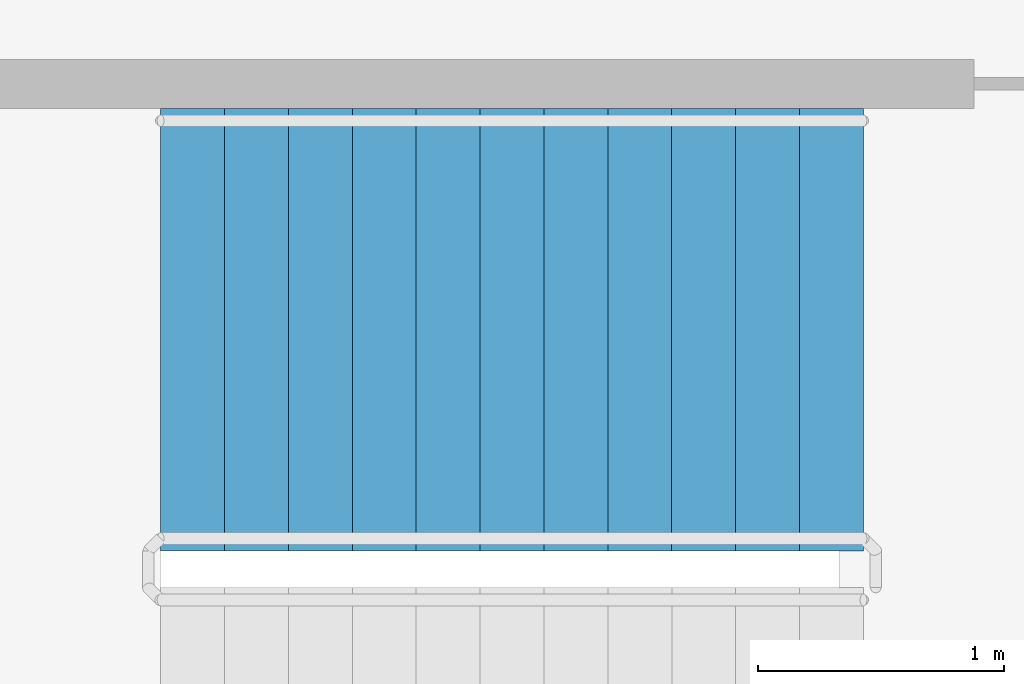
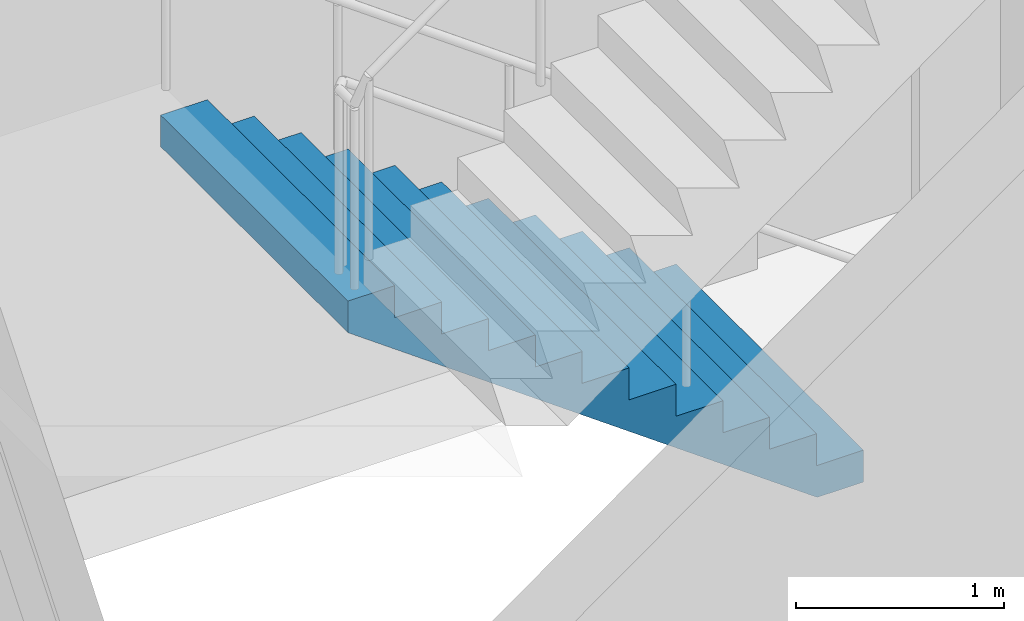
# One storey, part 41 of 49: 1 stair flight, 1 element without a shape of its own.
"""IFC4 building model written with IfcOpenShell, lengths in metres."""

from ifc_helpers import new_model, si_unit, direction, frame, origin, place, context, subcontext, project, spatial, faceted_brep, material, type_object, element, aggregate, save


model = new_model("IFC4")

# Units and contexts
model_context = context("Model", 3, precision=1e-05, world=origin(), true_north=direction((0.0, 1.0)))
body_context = subcontext(model_context, "Body", "Model", "MODEL_VIEW")
ifc_project = project(units=[si_unit("LENGTHUNIT", "METRE"), si_unit("AREAUNIT", "SQUARE_METRE"), si_unit("VOLUMEUNIT", "CUBIC_METRE"), si_unit("PLANEANGLEUNIT", "RADIAN"), si_unit("MASSUNIT", "GRAM", prefix="KILO")], contexts=[model_context])

# Site, building, storey
site_placement = place(None, origin())
site = spatial("IfcSite", under=ifc_project, at=site_placement, CompositionType="ELEMENT")
building_placement = place(site_placement, origin())
building = spatial("IfcBuilding", under=site, at=building_placement, Name="Ipe Terrace Towers", CompositionType="ELEMENT")
storey_placement = place(building_placement, frame((0.0, 0.0, 11.0)))
storey = spatial("IfcBuildingStorey", under=building, at=storey_placement, Name="L02", CompositionType="ELEMENT", Elevation=11.0)

# Stair, stair flight
ifc_material_1 = material(Name="Concrete C30/37", Category="concrete")
stair_type = type_object("IfcStairType", Name="Protected exit stair", PredefinedType="HALF_TURN_STAIR", material=ifc_material_1)
stair_placement = place(storey_placement, origin())
stair = element("IfcStair", 1, at=stair_placement, inside=storey, type_object=stair_type, Name="L02 Podium exit stair PS1", PredefinedType="HALF_TURN_STAIR")
ifc_material_2 = material(Name="Concrete C30/37", Category="concrete")
stair_flight_type = type_object("IfcStairFlightType", Name="Exit stair flight 1800", PredefinedType="STRAIGHT", material=ifc_material_2)
stair_flight_placement = place(storey_placement, frame((-54.27001953125, 25.5, 0.0), z_axis=(0.0, 0.0, 1.0), x_axis=(-1.0, 0.0, 0.0)))
stair_flight = element("IfcStairFlight", 2, at=stair_flight_placement, type_object=stair_flight_type, Name="PS1 flight 1", NumberOfRisers=12, NumberOfTreads=11, PredefinedType="STRAIGHT", RiserHeight=0.1875, TreadLength=0.26, context=body_context, shape_type="Brep", body=[
    faceted_brep([(0.25634765625, -0.89990234375, 0.0), (2.860107421875, -0.89990234375, 1.877685546875), (2.860107421875, -0.89990234375, 2.0625), (2.60009765625, -0.89990234375, 2.0625), (2.60009765625, -0.89990234375, 1.875), (2.340087890625, -0.89990234375, 1.875), (2.340087890625, -0.89990234375, 1.6875), (2.080078125, -0.89990234375, 1.6875), (2.080078125, -0.89990234375, 1.5), (1.820068359375, -0.89990234375, 1.5), (1.820068359375, -0.89990234375, 1.3125), (1.56005859375, -0.89990234375, 1.3125), (1.56005859375, -0.89990234375, 1.125), (1.300048828125, -0.89990234375, 1.125), (1.300048828125, -0.89990234375, 0.9375), (1.0400390625, -0.89990234375, 0.9375), (1.0400390625, -0.89990234375, 0.75), (0.780029296875, -0.89990234375, 0.75), (0.780029296875, -0.89990234375, 0.5625), (0.52001953125, -0.89990234375, 0.5625), (0.52001953125, -0.89990234375, 0.375), (0.260009765625, -0.89990234375, 0.375), (0.260009765625, -0.89990234375, 0.1875), (0.0, -0.89990234375, 0.1875), (0.0, -0.89990234375, 0.0), (0.0, 0.89990234375, 0.0), (0.0, 0.89990234375, 0.1875), (0.260009765625, 0.89990234375, 0.1875), (0.260009765625, 0.89990234375, 0.375), (0.52001953125, 0.89990234375, 0.375), (0.52001953125, 0.89990234375, 0.5625), (0.780029296875, 0.89990234375, 0.5625), (0.780029296875, 0.89990234375, 0.75), (1.0400390625, 0.89990234375, 0.75), (1.0400390625, 0.89990234375, 0.9375), (1.300048828125, 0.89990234375, 0.9375), (1.300048828125, 0.89990234375, 1.125), (1.56005859375, 0.89990234375, 1.125), (1.56005859375, 0.89990234375, 1.3125), (1.820068359375, 0.89990234375, 1.3125), (1.820068359375, 0.89990234375, 1.5), (2.080078125, 0.89990234375, 1.5), (2.080078125, 0.89990234375, 1.6875), (2.340087890625, 0.89990234375, 1.6875), (2.340087890625, 0.89990234375, 1.875), (2.60009765625, 0.89990234375, 1.875), (2.60009765625, 0.89990234375, 2.0625), (2.860107421875, 0.89990234375, 2.0625), (2.860107421875, 0.89990234375, 1.877685546875), (0.25634765625, 0.89990234375, 0.0), (0.0, -0.300048828125, 0.1875), (0.0, -0.1201171875, 0.1875), (0.0, -0.06005859375, 0.1875), (0.0, -0.030029296875, 0.1875), (0.0, -0.010009765625, 0.1875), (0.0, 0.0, 0.1875), (0.0, 0.010009765625, 0.1875), (0.0, 0.030029296875, 0.1875), (0.0, 0.06005859375, 0.1875), (0.0, 0.1201171875, 0.1875), (0.0, 0.300048828125, 0.1875), (0.0, 0.300048828125, 0.0), (0.0, 0.1201171875, 0.0), (0.0, 0.06005859375, 0.0), (0.0, 0.030029296875, 0.0), (0.0, 0.010009765625, 0.0), (0.0, 0.0, 0.0), (0.0, -0.010009765625, 0.0), (0.0, -0.030029296875, 0.0), (0.0, -0.06005859375, 0.0), (0.0, -0.1201171875, 0.0), (0.0, -0.300048828125, 0.0), (0.260009765625, -0.300048828125, 0.1875), (0.260009765625, -0.1201171875, 0.1875), (0.260009765625, -0.06005859375, 0.1875), (0.260009765625, -0.030029296875, 0.1875), (0.260009765625, -0.010009765625, 0.1875), (0.260009765625, 0.0, 0.1875), (0.260009765625, 0.010009765625, 0.1875), (0.260009765625, 0.030029296875, 0.1875), (0.260009765625, 0.06005859375, 0.1875), (0.260009765625, 0.1201171875, 0.1875), (0.260009765625, 0.300048828125, 0.1875), (0.260009765625, -0.300048828125, 0.375), (0.260009765625, -0.1201171875, 0.375), (0.260009765625, -0.06005859375, 0.375), (0.260009765625, -0.030029296875, 0.375), (0.260009765625, -0.010009765625, 0.375), (0.260009765625, 0.0, 0.375), (0.260009765625, 0.010009765625, 0.375), (0.260009765625, 0.030029296875, 0.375), (0.260009765625, 0.06005859375, 0.375), (0.260009765625, 0.1201171875, 0.375), (0.260009765625, 0.300048828125, 0.375), (0.52001953125, -0.300048828125, 0.375), (0.52001953125, -0.1201171875, 0.375), (0.52001953125, -0.06005859375, 0.375), (0.52001953125, -0.030029296875, 0.375), (0.52001953125, -0.010009765625, 0.375), (0.52001953125, 0.0, 0.375), (0.52001953125, 0.010009765625, 0.375), (0.52001953125, 0.030029296875, 0.375), (0.52001953125, 0.06005859375, 0.375), (0.52001953125, 0.1201171875, 0.375), (0.52001953125, 0.300048828125, 0.375), (0.52001953125, -0.300048828125, 0.5625), (0.52001953125, -0.1201171875, 0.5625), (0.52001953125, -0.06005859375, 0.5625), (0.52001953125, -0.030029296875, 0.5625), (0.52001953125, -0.010009765625, 0.5625), (0.52001953125, 0.0, 0.5625), (0.52001953125, 0.010009765625, 0.5625), (0.52001953125, 0.030029296875, 0.5625), (0.52001953125, 0.06005859375, 0.5625), (0.52001953125, 0.1201171875, 0.5625), (0.52001953125, 0.300048828125, 0.5625), (0.780029296875, -0.300048828125, 0.5625), (0.780029296875, -0.1201171875, 0.5625), (0.780029296875, -0.06005859375, 0.5625), (0.780029296875, -0.030029296875, 0.5625), (0.780029296875, -0.010009765625, 0.5625), (0.780029296875, 0.0, 0.5625), (0.780029296875, 0.010009765625, 0.5625), (0.780029296875, 0.030029296875, 0.5625), (0.780029296875, 0.06005859375, 0.5625), (0.780029296875, 0.1201171875, 0.5625), (0.780029296875, 0.300048828125, 0.5625), (0.780029296875, -0.300048828125, 0.75), (0.780029296875, -0.1201171875, 0.75), (0.780029296875, -0.06005859375, 0.75), (0.780029296875, -0.030029296875, 0.75), (0.780029296875, -0.010009765625, 0.75), (0.780029296875, 0.0, 0.75), (0.780029296875, 0.010009765625, 0.75), (0.780029296875, 0.030029296875, 0.75), (0.780029296875, 0.06005859375, 0.75), (0.780029296875, 0.1201171875, 0.75), (0.780029296875, 0.300048828125, 0.75), (1.0400390625, -0.300048828125, 0.75), (1.0400390625, -0.1201171875, 0.75), (1.0400390625, -0.06005859375, 0.75), (1.0400390625, -0.030029296875, 0.75), (1.0400390625, -0.010009765625, 0.75), (1.0400390625, 0.0, 0.75), (1.0400390625, 0.010009765625, 0.75), (1.0400390625, 0.030029296875, 0.75), (1.0400390625, 0.06005859375, 0.75), (1.0400390625, 0.1201171875, 0.75), (1.0400390625, 0.300048828125, 0.75), (1.0400390625, -0.300048828125, 0.9375), (1.0400390625, -0.1201171875, 0.9375), (1.0400390625, -0.06005859375, 0.9375), (1.0400390625, -0.030029296875, 0.9375), (1.0400390625, -0.010009765625, 0.9375), (1.0400390625, 0.0, 0.9375), (1.0400390625, 0.010009765625, 0.9375), (1.0400390625, 0.030029296875, 0.9375), (1.0400390625, 0.06005859375, 0.9375), (1.0400390625, 0.1201171875, 0.9375), (1.0400390625, 0.300048828125, 0.9375), (1.300048828125, -0.300048828125, 0.9375), (1.300048828125, -0.1201171875, 0.9375), (1.300048828125, -0.06005859375, 0.9375), (1.300048828125, -0.030029296875, 0.9375), (1.300048828125, -0.010009765625, 0.9375), (1.300048828125, 0.0, 0.9375), (1.300048828125, 0.010009765625, 0.9375), (1.300048828125, 0.030029296875, 0.9375), (1.300048828125, 0.06005859375, 0.9375), (1.300048828125, 0.1201171875, 0.9375), (1.300048828125, 0.300048828125, 0.9375), (1.300048828125, -0.300048828125, 1.125), (1.300048828125, -0.1201171875, 1.125), (1.300048828125, -0.06005859375, 1.125), (1.300048828125, -0.030029296875, 1.125), (1.300048828125, -0.010009765625, 1.125), (1.300048828125, 0.0, 1.125), (1.300048828125, 0.010009765625, 1.125), (1.300048828125, 0.030029296875, 1.125), (1.300048828125, 0.06005859375, 1.125), (1.300048828125, 0.1201171875, 1.125), (1.300048828125, 0.300048828125, 1.125), (1.56005859375, -0.300048828125, 1.125), (1.56005859375, -0.1201171875, 1.125), (1.56005859375, -0.06005859375, 1.125), (1.56005859375, -0.030029296875, 1.125), (1.56005859375, -0.010009765625, 1.125), (1.56005859375, 0.0, 1.125), (1.56005859375, 0.010009765625, 1.125), (1.56005859375, 0.030029296875, 1.125), (1.56005859375, 0.06005859375, 1.125), (1.56005859375, 0.1201171875, 1.125), (1.56005859375, 0.300048828125, 1.125), (1.56005859375, -0.300048828125, 1.3125), (1.56005859375, -0.1201171875, 1.3125), (1.56005859375, -0.06005859375, 1.3125), (1.56005859375, -0.030029296875, 1.3125), (1.56005859375, -0.010009765625, 1.3125), (1.56005859375, 0.0, 1.3125), (1.56005859375, 0.010009765625, 1.3125), (1.56005859375, 0.030029296875, 1.3125), (1.56005859375, 0.06005859375, 1.3125), (1.56005859375, 0.1201171875, 1.3125), (1.56005859375, 0.300048828125, 1.3125), (1.820068359375, -0.300048828125, 1.3125), (1.820068359375, -0.1201171875, 1.3125), (1.820068359375, -0.06005859375, 1.3125), (1.820068359375, -0.030029296875, 1.3125), (1.820068359375, -0.010009765625, 1.3125), (1.820068359375, 0.0, 1.3125), (1.820068359375, 0.010009765625, 1.3125), (1.820068359375, 0.030029296875, 1.3125), (1.820068359375, 0.06005859375, 1.3125), (1.820068359375, 0.1201171875, 1.3125), (1.820068359375, 0.300048828125, 1.3125), (1.820068359375, -0.300048828125, 1.5), (1.820068359375, -0.1201171875, 1.5), (1.820068359375, -0.06005859375, 1.5), (1.820068359375, -0.030029296875, 1.5), (1.820068359375, -0.010009765625, 1.5), (1.820068359375, 0.0, 1.5), (1.820068359375, 0.010009765625, 1.5), (1.820068359375, 0.030029296875, 1.5), (1.820068359375, 0.06005859375, 1.5), (1.820068359375, 0.1201171875, 1.5), (1.820068359375, 0.300048828125, 1.5), (2.080078125, -0.300048828125, 1.5), (2.080078125, -0.1201171875, 1.5), (2.080078125, -0.06005859375, 1.5), (2.080078125, -0.030029296875, 1.5), (2.080078125, -0.010009765625, 1.5), (2.080078125, 0.0, 1.5), (2.080078125, 0.010009765625, 1.5), (2.080078125, 0.030029296875, 1.5), (2.080078125, 0.06005859375, 1.5), (2.080078125, 0.1201171875, 1.5), (2.080078125, 0.300048828125, 1.5), (2.080078125, -0.300048828125, 1.6875), (2.080078125, -0.1201171875, 1.6875), (2.080078125, -0.06005859375, 1.6875), (2.080078125, -0.030029296875, 1.6875), (2.080078125, -0.010009765625, 1.6875), (2.080078125, 0.0, 1.6875), (2.080078125, 0.010009765625, 1.6875), (2.080078125, 0.030029296875, 1.6875), (2.080078125, 0.06005859375, 1.6875), (2.080078125, 0.1201171875, 1.6875), (2.080078125, 0.300048828125, 1.6875), (2.340087890625, -0.300048828125, 1.6875), (2.340087890625, -0.1201171875, 1.6875), (2.340087890625, -0.06005859375, 1.6875), (2.340087890625, -0.030029296875, 1.6875), (2.340087890625, -0.010009765625, 1.6875), (2.340087890625, 0.0, 1.6875), (2.340087890625, 0.010009765625, 1.6875), (2.340087890625, 0.030029296875, 1.6875), (2.340087890625, 0.06005859375, 1.6875), (2.340087890625, 0.1201171875, 1.6875), (2.340087890625, 0.300048828125, 1.6875), (2.340087890625, -0.300048828125, 1.875), (2.340087890625, -0.1201171875, 1.875), (2.340087890625, -0.06005859375, 1.875), (2.340087890625, -0.030029296875, 1.875), (2.340087890625, -0.010009765625, 1.875), (2.340087890625, 0.0, 1.875), (2.340087890625, 0.010009765625, 1.875), (2.340087890625, 0.030029296875, 1.875), (2.340087890625, 0.06005859375, 1.875), (2.340087890625, 0.1201171875, 1.875), (2.340087890625, 0.300048828125, 1.875), (2.60009765625, -0.300048828125, 1.875), (2.60009765625, -0.1201171875, 1.875), (2.60009765625, -0.06005859375, 1.875), (2.60009765625, -0.030029296875, 1.875), (2.60009765625, -0.010009765625, 1.875), (2.60009765625, 0.0, 1.875), (2.60009765625, 0.010009765625, 1.875), (2.60009765625, 0.030029296875, 1.875), (2.60009765625, 0.06005859375, 1.875), (2.60009765625, 0.1201171875, 1.875), (2.60009765625, 0.300048828125, 1.875), (2.60009765625, -0.300048828125, 2.0625), (2.60009765625, -0.1201171875, 2.0625), (2.60009765625, -0.06005859375, 2.0625), (2.60009765625, -0.030029296875, 2.0625), (2.60009765625, -0.010009765625, 2.0625), (2.60009765625, 0.0, 2.0625), (2.60009765625, 0.010009765625, 2.0625), (2.60009765625, 0.030029296875, 2.0625), (2.60009765625, 0.06005859375, 2.0625), (2.60009765625, 0.1201171875, 2.0625), (2.60009765625, 0.300048828125, 2.0625), (2.860107421875, -0.300048828125, 2.0625), (2.860107421875, -0.1201171875, 2.0625), (2.860107421875, -0.06005859375, 2.0625), (2.860107421875, -0.030029296875, 2.0625), (2.860107421875, -0.010009765625, 2.0625), (2.860107421875, 0.0, 2.0625), (2.860107421875, 0.010009765625, 2.0625), (2.860107421875, 0.030029296875, 2.0625), (2.860107421875, 0.06005859375, 2.0625), (2.860107421875, 0.1201171875, 2.0625), (2.860107421875, 0.300048828125, 2.0625), (2.860107421875, -0.300048828125, 1.877685546875), (2.860107421875, -0.1201171875, 1.877685546875), (2.860107421875, -0.06005859375, 1.877685546875), (2.860107421875, -0.030029296875, 1.877685546875), (2.860107421875, -0.010009765625, 1.877685546875), (2.860107421875, 0.0, 1.877685546875), (2.860107421875, 0.010009765625, 1.877685546875), (2.860107421875, 0.030029296875, 1.877685546875), (2.860107421875, 0.06005859375, 1.877685546875), (2.860107421875, 0.1201171875, 1.877685546875), (2.860107421875, 0.300048828125, 1.877685546875), (0.25634765625, -0.300048828125, 0.0), (0.25634765625, -0.1201171875, 0.0), (0.25634765625, -0.06005859375, 0.0), (0.25634765625, -0.030029296875, 0.0), (0.25634765625, -0.010009765625, 0.0), (0.25634765625, 0.0, 0.0), (0.25634765625, 0.010009765625, 0.0), (0.25634765625, 0.030029296875, 0.0), (0.25634765625, 0.06005859375, 0.0), (0.25634765625, 0.1201171875, 0.0), (0.25634765625, 0.300048828125, 0.0)], [[[0, 1, 2, 3, 4, 5, 6, 7, 8, 9, 10, 11, 12, 13, 14, 15, 16, 17, 18, 19, 20, 21, 22, 23, 24]], [[25, 26, 27, 28, 29, 30, 31, 32, 33, 34, 35, 36, 37, 38, 39, 40, 41, 42, 43, 44, 45, 46, 47, 48, 49]], [[23, 50, 51, 52, 53, 54, 55, 56, 57, 58, 59, 60, 26, 25, 61, 62, 63, 64, 65, 66, 67, 68, 69, 70, 71, 24]], [[22, 72, 73, 74, 75, 76, 77, 78, 79, 80, 81, 82, 27, 26, 60, 59, 58, 57, 56, 55, 54, 53, 52, 51, 50, 23]], [[21, 83, 84, 85, 86, 87, 88, 89, 90, 91, 92, 93, 28, 27, 82, 81, 80, 79, 78, 77, 76, 75, 74, 73, 72, 22]], [[20, 94, 95, 96, 97, 98, 99, 100, 101, 102, 103, 104, 29, 28, 93, 92, 91, 90, 89, 88, 87, 86, 85, 84, 83, 21]], [[19, 105, 106, 107, 108, 109, 110, 111, 112, 113, 114, 115, 30, 29, 104, 103, 102, 101, 100, 99, 98, 97, 96, 95, 94, 20]], [[18, 116, 117, 118, 119, 120, 121, 122, 123, 124, 125, 126, 31, 30, 115, 114, 113, 112, 111, 110, 109, 108, 107, 106, 105, 19]], [[17, 127, 128, 129, 130, 131, 132, 133, 134, 135, 136, 137, 32, 31, 126, 125, 124, 123, 122, 121, 120, 119, 118, 117, 116, 18]], [[16, 138, 139, 140, 141, 142, 143, 144, 145, 146, 147, 148, 33, 32, 137, 136, 135, 134, 133, 132, 131, 130, 129, 128, 127, 17]], [[15, 149, 150, 151, 152, 153, 154, 155, 156, 157, 158, 159, 34, 33, 148, 147, 146, 145, 144, 143, 142, 141, 140, 139, 138, 16]], [[14, 160, 161, 162, 163, 164, 165, 166, 167, 168, 169, 170, 35, 34, 159, 158, 157, 156, 155, 154, 153, 152, 151, 150, 149, 15]], [[13, 171, 172, 173, 174, 175, 176, 177, 178, 179, 180, 181, 36, 35, 170, 169, 168, 167, 166, 165, 164, 163, 162, 161, 160, 14]], [[12, 182, 183, 184, 185, 186, 187, 188, 189, 190, 191, 192, 37, 36, 181, 180, 179, 178, 177, 176, 175, 174, 173, 172, 171, 13]], [[11, 193, 194, 195, 196, 197, 198, 199, 200, 201, 202, 203, 38, 37, 192, 191, 190, 189, 188, 187, 186, 185, 184, 183, 182, 12]], [[10, 204, 205, 206, 207, 208, 209, 210, 211, 212, 213, 214, 39, 38, 203, 202, 201, 200, 199, 198, 197, 196, 195, 194, 193, 11]], [[9, 215, 216, 217, 218, 219, 220, 221, 222, 223, 224, 225, 40, 39, 214, 213, 212, 211, 210, 209, 208, 207, 206, 205, 204, 10]], [[8, 226, 227, 228, 229, 230, 231, 232, 233, 234, 235, 236, 41, 40, 225, 224, 223, 222, 221, 220, 219, 218, 217, 216, 215, 9]], [[7, 237, 238, 239, 240, 241, 242, 243, 244, 245, 246, 247, 42, 41, 236, 235, 234, 233, 232, 231, 230, 229, 228, 227, 226, 8]], [[6, 248, 249, 250, 251, 252, 253, 254, 255, 256, 257, 258, 43, 42, 247, 246, 245, 244, 243, 242, 241, 240, 239, 238, 237, 7]], [[5, 259, 260, 261, 262, 263, 264, 265, 266, 267, 268, 269, 44, 43, 258, 257, 256, 255, 254, 253, 252, 251, 250, 249, 248, 6]], [[4, 270, 271, 272, 273, 274, 275, 276, 277, 278, 279, 280, 45, 44, 269, 268, 267, 266, 265, 264, 263, 262, 261, 260, 259, 5]], [[3, 281, 282, 283, 284, 285, 286, 287, 288, 289, 290, 291, 46, 45, 280, 279, 278, 277, 276, 275, 274, 273, 272, 271, 270, 4]], [[2, 292, 293, 294, 295, 296, 297, 298, 299, 300, 301, 302, 47, 46, 291, 290, 289, 288, 287, 286, 285, 284, 283, 282, 281, 3]], [[1, 303, 304, 305, 306, 307, 308, 309, 310, 311, 312, 313, 48, 47, 302, 301, 300, 299, 298, 297, 296, 295, 294, 293, 292, 2]], [[0, 314, 315, 316, 317, 318, 319, 320, 321, 322, 323, 324, 49, 48, 313, 312, 311, 310, 309, 308, 307, 306, 305, 304, 303, 1]], [[24, 71, 70, 69, 68, 67, 66, 65, 64, 63, 62, 61, 25, 49, 324, 323, 322, 321, 320, 319, 318, 317, 316, 315, 314, 0]]]),
])
aggregate(stair, [stair_flight])

save(model, "model.ifc")
